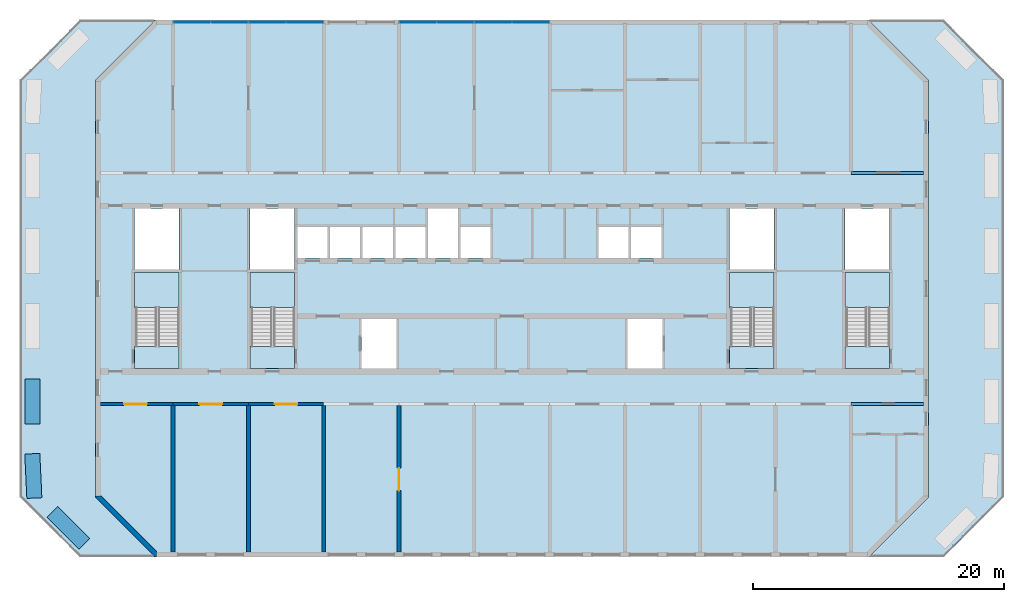
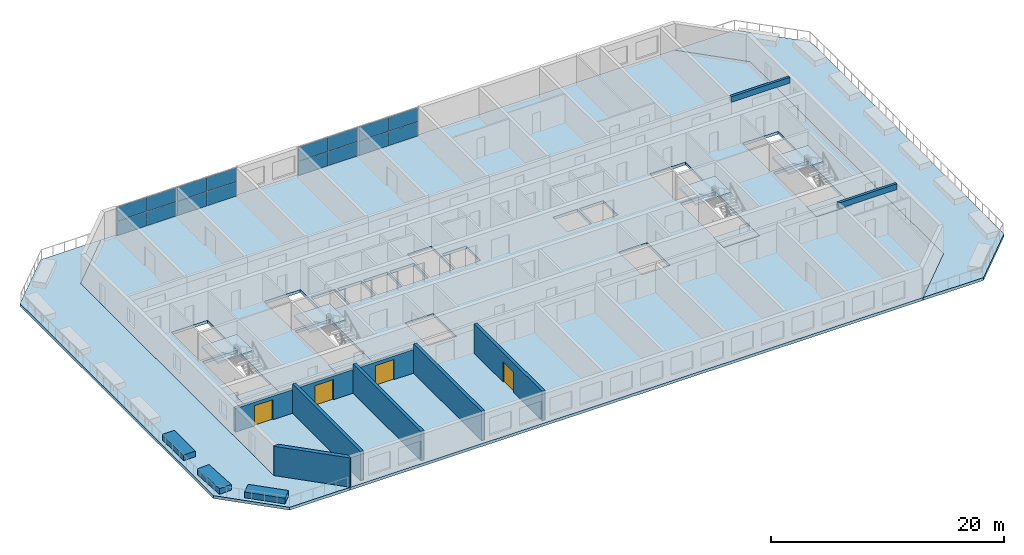
# One storey, part 3 of 14: 16 plates, 11 slabs, 11 walls, 4 doors, 2 beams, 4 openings, 8 elements without a shape of their own.
"""IFC4 building model written with IfcOpenShell, lengths in metres."""

from ifc_helpers import new_model, si_unit, direction, frame, frame_2d, origin, origin_2d, place, context, subcontext, project, spatial, polyline, rectangle, outline, extrude, source, transform, mapped, material, layer, layer_set, material_profile, profile_set, type_object, element, fill, aggregate, save


model = new_model("IFC4")

# Units and contexts
model_context = context("Model", 3, precision=1e-05, world=origin(), true_north=direction((0.0, 1.0)))
body_context = subcontext(model_context, "Body", "Model", "MODEL_VIEW")
ifc_project = project(units=[si_unit("LENGTHUNIT", "METRE"), si_unit("AREAUNIT", "SQUARE_METRE"), si_unit("VOLUMEUNIT", "CUBIC_METRE"), si_unit("PLANEANGLEUNIT", "RADIAN"), si_unit("MASSUNIT", "GRAM", prefix="KILO")], contexts=[model_context])

# Site, building, storey
site_placement = place(None, origin())
site = spatial("IfcSite", under=ifc_project, at=site_placement, CompositionType="ELEMENT")
building_placement = place(site_placement, origin())
building = spatial("IfcBuilding", under=site, at=building_placement, Name="Poui Terraces", CompositionType="ELEMENT")
storey_placement = place(building_placement, frame((0.0, 0.0, 158.699951171875)))
storey = spatial("IfcBuildingStorey", under=building, at=storey_placement, Name="L44", CompositionType="ELEMENT", Elevation=158.699951171875)

# Beams
ifc_material_1 = material(Name="Concrete 65 MPa", Category="concrete")
ifc_material_profile = material_profile(ifc_material_1, rectangle(XDim=0.25, YDim=0.60009765625, at=origin_2d()), Name="RC 250x600")
ifc_profile_set = profile_set([ifc_material_profile], Name="Concrete 65 MPa")
beam_type = type_object("IfcBeamType", Name="COUPLING BEAM 250x600 65MPa", PredefinedType="BEAM", material=ifc_profile_set)
shared_shape_1 = source(origin(), body_context, "Body", "SweptSolid", [
    extrude(rectangle(XDim=0.25, YDim=0.60009765625, at=origin_2d()), origin(), (0.0, 0.0, 1.0), 5.800048828125),
])
for number, where, z_axis, x_axis, name in (
    (1, (78.0, 12.0, 2.77001953125), (1.0, 0.0, 0.0), (0.0, 1.0, 0.0), "COUPLING BEAM LINE B BAY 11"),
    (2, (78.0, 30.39990234375, 2.77001953125), (1.0, 0.0, 0.0), (0.0, 1.0, 0.0), "COUPLING BEAM LINE E BAY 11"),
):
    element("IfcBeam", number, at=place(storey_placement, frame(where, z_axis=z_axis, x_axis=x_axis)), inside=storey, type_object=beam_type, Name=name, PredefinedType="BEAM", context=body_context, shape_type="MappedRepresentation", body=[
        mapped(shared_shape_1, transform((0.0, 0.0, 0.0))),
    ])

# Curtain wall, plates
ifc_material_2 = material(Name="Clear glass", Category="glass")
ifc_layer_1 = layer(ifc_material_2, 0.14990234375)
ifc_layer_set_1 = layer_set([ifc_layer_1], Name="Clear glass")
curtain_wall_type = type_object("IfcCurtainWallType", Name="CURTAIN WALL CW-C COMMUNITY HALL GLAZING", PredefinedType="NOTDEFINED", material=ifc_layer_set_1)
curtain_wall_1_placement = place(storey_placement, origin())
curtain_wall_1 = element("IfcCurtainWall", 3, at=curtain_wall_1_placement, inside=storey, type_object=curtain_wall_type, Name="CW-C COMMUNITY HALL GLAZING", PredefinedType="NOTDEFINED")
ifc_layer_2 = layer(ifc_material_2, 0.052001953125)
ifc_layer_set_2 = layer_set([ifc_layer_2], Name="Clear glass")
plate_type = type_object("IfcPlateType", Name="CW-C GLASS PANEL 52", PredefinedType="CURTAIN_PANEL", material=ifc_layer_set_2)
plate_1_placement = place(storey_placement, frame((28.487548828125, 42.39990234375, 0.050048828125), z_axis=(0.0, 0.0, 1.0), x_axis=(-1.0, 0.0, 0.0)))
plate_1 = element("IfcPlate", 4, at=plate_1_placement, type_object=plate_type, Name="CW-C panel 1.1", PredefinedType="CURTAIN_PANEL", context=body_context, shape_type="SweptSolid", body=[
    extrude(rectangle(XDim=2.925048828125, YDim=0.052001953125, at=origin_2d()), origin(), (0.0, 0.0, 1.0), 1.4599609375),
])
plate_2_placement = place(storey_placement, frame((28.487548828125, 42.39990234375, 1.56005859375), z_axis=(0.0, 0.0, 1.0), x_axis=(-1.0, 0.0, 0.0)))
plate_2 = element("IfcPlate", 5, at=plate_2_placement, type_object=plate_type, Name="CW-C panel 1.2", PredefinedType="CURTAIN_PANEL", context=body_context, shape_type="SweptSolid", body=[
    extrude(rectangle(XDim=2.925048828125, YDim=0.052001953125, at=origin_2d()), origin(), (0.0, 0.0, 1.0), 1.4599609375),
])
plate_3_placement = place(storey_placement, frame((25.512451171875, 42.39990234375, 0.050048828125), z_axis=(0.0, 0.0, 1.0), x_axis=(-1.0, 0.0, 0.0)))
plate_3 = element("IfcPlate", 6, at=plate_3_placement, type_object=plate_type, Name="CW-C panel 2.1", PredefinedType="CURTAIN_PANEL", context=body_context, shape_type="SweptSolid", body=[
    extrude(rectangle(XDim=2.925048828125, YDim=0.052001953125, at=origin_2d()), origin(), (0.0, 0.0, 1.0), 1.4599609375),
])
plate_4_placement = place(storey_placement, frame((25.512451171875, 42.39990234375, 1.56005859375), z_axis=(0.0, 0.0, 1.0), x_axis=(-1.0, 0.0, 0.0)))
plate_4 = element("IfcPlate", 7, at=plate_4_placement, type_object=plate_type, Name="CW-C panel 2.2", PredefinedType="CURTAIN_PANEL", context=body_context, shape_type="SweptSolid", body=[
    extrude(rectangle(XDim=2.925048828125, YDim=0.052001953125, at=origin_2d()), origin(), (0.0, 0.0, 1.0), 1.4599609375),
])
aggregate(curtain_wall_1, [plate_1, plate_2, plate_3, plate_4])

curtain_wall_2_placement = place(storey_placement, origin())
curtain_wall_2 = element("IfcCurtainWall", 8, at=curtain_wall_2_placement, inside=storey, type_object=curtain_wall_type, Name="CW-C COMMUNITY HALL GLAZING", PredefinedType="NOTDEFINED")
plate_5_placement = place(storey_placement, frame((34.487548828125, 42.39990234375, 0.050048828125), z_axis=(0.0, 0.0, 1.0), x_axis=(-1.0, 0.0, 0.0)))
plate_5 = element("IfcPlate", 9, at=plate_5_placement, type_object=plate_type, Name="CW-C panel 1.1", PredefinedType="CURTAIN_PANEL", context=body_context, shape_type="SweptSolid", body=[
    extrude(rectangle(XDim=2.925048828125, YDim=0.052001953125, at=origin_2d()), origin(), (0.0, 0.0, 1.0), 1.4599609375),
])
plate_6_placement = place(storey_placement, frame((34.487548828125, 42.39990234375, 1.56005859375), z_axis=(0.0, 0.0, 1.0), x_axis=(-1.0, 0.0, 0.0)))
plate_6 = element("IfcPlate", 10, at=plate_6_placement, type_object=plate_type, Name="CW-C panel 1.2", PredefinedType="CURTAIN_PANEL", context=body_context, shape_type="SweptSolid", body=[
    extrude(rectangle(XDim=2.925048828125, YDim=0.052001953125, at=origin_2d()), origin(), (0.0, 0.0, 1.0), 1.4599609375),
])
plate_7_placement = place(storey_placement, frame((31.512451171875, 42.39990234375, 0.050048828125), z_axis=(0.0, 0.0, 1.0), x_axis=(-1.0, 0.0, 0.0)))
plate_7 = element("IfcPlate", 11, at=plate_7_placement, type_object=plate_type, Name="CW-C panel 2.1", PredefinedType="CURTAIN_PANEL", context=body_context, shape_type="SweptSolid", body=[
    extrude(rectangle(XDim=2.925048828125, YDim=0.052001953125, at=origin_2d()), origin(), (0.0, 0.0, 1.0), 1.4599609375),
])
plate_8_placement = place(storey_placement, frame((31.512451171875, 42.39990234375, 1.56005859375), z_axis=(0.0, 0.0, 1.0), x_axis=(-1.0, 0.0, 0.0)))
plate_8 = element("IfcPlate", 12, at=plate_8_placement, type_object=plate_type, Name="CW-C panel 2.2", PredefinedType="CURTAIN_PANEL", context=body_context, shape_type="SweptSolid", body=[
    extrude(rectangle(XDim=2.925048828125, YDim=0.052001953125, at=origin_2d()), origin(), (0.0, 0.0, 1.0), 1.4599609375),
])
aggregate(curtain_wall_2, [plate_5, plate_6, plate_7, plate_8])

curtain_wall_3_placement = place(storey_placement, origin())
curtain_wall_3 = element("IfcCurtainWall", 13, at=curtain_wall_3_placement, inside=storey, type_object=curtain_wall_type, Name="CW-C COMMUNITY HALL GLAZING", PredefinedType="NOTDEFINED")
plate_9_placement = place(storey_placement, frame((46.487548828125, 42.39990234375, 0.050048828125), z_axis=(0.0, 0.0, 1.0), x_axis=(-1.0, 0.0, 0.0)))
plate_9 = element("IfcPlate", 14, at=plate_9_placement, type_object=plate_type, Name="CW-C panel 1.1", PredefinedType="CURTAIN_PANEL", context=body_context, shape_type="SweptSolid", body=[
    extrude(rectangle(XDim=2.925048828125, YDim=0.052001953125, at=origin_2d()), origin(), (0.0, 0.0, 1.0), 1.4599609375),
])
plate_10_placement = place(storey_placement, frame((46.487548828125, 42.39990234375, 1.56005859375), z_axis=(0.0, 0.0, 1.0), x_axis=(-1.0, 0.0, 0.0)))
plate_10 = element("IfcPlate", 15, at=plate_10_placement, type_object=plate_type, Name="CW-C panel 1.2", PredefinedType="CURTAIN_PANEL", context=body_context, shape_type="SweptSolid", body=[
    extrude(rectangle(XDim=2.925048828125, YDim=0.052001953125, at=origin_2d()), origin(), (0.0, 0.0, 1.0), 1.4599609375),
])
plate_11_placement = place(storey_placement, frame((43.512451171875, 42.39990234375, 0.050048828125), z_axis=(0.0, 0.0, 1.0), x_axis=(-1.0, 0.0, 0.0)))
plate_11 = element("IfcPlate", 16, at=plate_11_placement, type_object=plate_type, Name="CW-C panel 2.1", PredefinedType="CURTAIN_PANEL", context=body_context, shape_type="SweptSolid", body=[
    extrude(rectangle(XDim=2.925048828125, YDim=0.052001953125, at=origin_2d()), origin(), (0.0, 0.0, 1.0), 1.4599609375),
])
plate_12_placement = place(storey_placement, frame((43.512451171875, 42.39990234375, 1.56005859375), z_axis=(0.0, 0.0, 1.0), x_axis=(-1.0, 0.0, 0.0)))
plate_12 = element("IfcPlate", 17, at=plate_12_placement, type_object=plate_type, Name="CW-C panel 2.2", PredefinedType="CURTAIN_PANEL", context=body_context, shape_type="SweptSolid", body=[
    extrude(rectangle(XDim=2.925048828125, YDim=0.052001953125, at=origin_2d()), origin(), (0.0, 0.0, 1.0), 1.4599609375),
])
aggregate(curtain_wall_3, [plate_9, plate_10, plate_11, plate_12])

curtain_wall_4_placement = place(storey_placement, origin())
curtain_wall_4 = element("IfcCurtainWall", 18, at=curtain_wall_4_placement, inside=storey, type_object=curtain_wall_type, Name="CW-C COMMUNITY HALL GLAZING", PredefinedType="NOTDEFINED")
plate_13_placement = place(storey_placement, frame((52.487548828125, 42.39990234375, 0.050048828125), z_axis=(0.0, 0.0, 1.0), x_axis=(-1.0, 0.0, 0.0)))
plate_13 = element("IfcPlate", 19, at=plate_13_placement, type_object=plate_type, Name="CW-C panel 1.1", PredefinedType="CURTAIN_PANEL", context=body_context, shape_type="SweptSolid", body=[
    extrude(rectangle(XDim=2.925048828125, YDim=0.052001953125, at=origin_2d()), origin(), (0.0, 0.0, 1.0), 1.4599609375),
])
plate_14_placement = place(storey_placement, frame((52.487548828125, 42.39990234375, 1.56005859375), z_axis=(0.0, 0.0, 1.0), x_axis=(-1.0, 0.0, 0.0)))
plate_14 = element("IfcPlate", 20, at=plate_14_placement, type_object=plate_type, Name="CW-C panel 1.2", PredefinedType="CURTAIN_PANEL", context=body_context, shape_type="SweptSolid", body=[
    extrude(rectangle(XDim=2.925048828125, YDim=0.052001953125, at=origin_2d()), origin(), (0.0, 0.0, 1.0), 1.4599609375),
])
plate_15_placement = place(storey_placement, frame((49.512451171875, 42.39990234375, 0.050048828125), z_axis=(0.0, 0.0, 1.0), x_axis=(-1.0, 0.0, 0.0)))
plate_15 = element("IfcPlate", 21, at=plate_15_placement, type_object=plate_type, Name="CW-C panel 2.1", PredefinedType="CURTAIN_PANEL", context=body_context, shape_type="SweptSolid", body=[
    extrude(rectangle(XDim=2.925048828125, YDim=0.052001953125, at=origin_2d()), origin(), (0.0, 0.0, 1.0), 1.4599609375),
])
plate_16_placement = place(storey_placement, frame((49.512451171875, 42.39990234375, 1.56005859375), z_axis=(0.0, 0.0, 1.0), x_axis=(-1.0, 0.0, 0.0)))
plate_16 = element("IfcPlate", 22, at=plate_16_placement, type_object=plate_type, Name="CW-C panel 2.2", PredefinedType="CURTAIN_PANEL", context=body_context, shape_type="SweptSolid", body=[
    extrude(rectangle(XDim=2.925048828125, YDim=0.052001953125, at=origin_2d()), origin(), (0.0, 0.0, 1.0), 1.4599609375),
])
aggregate(curtain_wall_4, [plate_13, plate_14, plate_15, plate_16])

# Stair, slabs
stair_type = type_object("IfcStairType", Name="EXIT STAIR 1650 65 MPA", PredefinedType="HALF_TURN_STAIR", material=ifc_material_1)
stair_1_placement = place(storey_placement, origin())
stair_1 = element("IfcStair", 23, at=stair_1_placement, inside=storey, type_object=stair_type, Name="L44 CORE STAIR EAST", PredefinedType="HALF_TURN_STAIR")
ifc_layer_3 = layer(ifc_material_1, 0.199951171875)
ifc_layer_set_3 = layer_set([ifc_layer_3], Name="Concrete 65 MPa")
slab_type_1 = type_object("IfcSlabType", Name="STAIR LANDING 200 65 MPA", PredefinedType="LANDING", material=ifc_layer_set_3)
slab_1_placement = place(storey_placement, frame((0.0, 0.0, 1.449951171875)))
slab_1 = element("IfcSlab", 24, at=slab_1_placement, type_object=slab_type_1, Name="ST-CE landing 1", PredefinedType="LANDING", context=body_context, shape_type="SweptSolid", body=[
    extrude(outline(polyline([(68.324951171875, 19.679931640625), (71.875, 19.679931640625), (71.875, 22.47509765625), (68.324951171875, 22.47509765625), (68.324951171875, 19.679931640625)])), origin(), (0.0, 0.0, 1.0), 0.2001953125),
])
slab_2_placement = place(storey_placement, frame((0.0, 0.0, -0.199951171875)))
slab_2 = element("IfcSlab", 25, at=slab_2_placement, type_object=slab_type_1, Name="ST-CE landing 2", PredefinedType="LANDING", context=body_context, shape_type="SweptSolid", body=[
    extrude(outline(polyline([(68.324951171875, 14.824951171875), (71.875, 14.824951171875), (71.875, 16.60009765625), (68.324951171875, 16.60009765625), (68.324951171875, 14.824951171875)])), origin(), (0.0, 0.0, 1.0), 0.199951171875),
])
aggregate(stair_1, [slab_1, slab_2])

stair_2_placement = place(storey_placement, origin())
stair_2 = element("IfcStair", 26, at=stair_2_placement, inside=storey, type_object=stair_type, Name="L44 CORE STAIR WEST", PredefinedType="HALF_TURN_STAIR")
slab_3_placement = place(storey_placement, frame((0.0, 0.0, 1.449951171875)))
slab_3 = element("IfcSlab", 27, at=slab_3_placement, type_object=slab_type_1, Name="ST-CW landing 1", PredefinedType="LANDING", context=body_context, shape_type="SweptSolid", body=[
    extrude(outline(polyline([(30.125, 19.679931640625), (33.675048828125, 19.679931640625), (33.675048828125, 22.47509765625), (30.125, 22.47509765625), (30.125, 19.679931640625)])), origin(), (0.0, 0.0, 1.0), 0.2001953125),
])
slab_4_placement = place(storey_placement, frame((0.0, 0.0, -0.199951171875)))
slab_4 = element("IfcSlab", 28, at=slab_4_placement, type_object=slab_type_1, Name="ST-CW landing 2", PredefinedType="LANDING", context=body_context, shape_type="SweptSolid", body=[
    extrude(outline(polyline([(30.125, 14.824951171875), (33.675048828125, 14.824951171875), (33.675048828125, 16.60009765625), (30.125, 16.60009765625), (30.125, 14.824951171875)])), origin(), (0.0, 0.0, 1.0), 0.199951171875),
])
aggregate(stair_2, [slab_3, slab_4])

stair_3_placement = place(storey_placement, origin())
stair_3 = element("IfcStair", 29, at=stair_3_placement, inside=storey, type_object=stair_type, Name="L44 TIP STAIR EAST", PredefinedType="HALF_TURN_STAIR")
slab_5_placement = place(storey_placement, frame((0.0, 0.0, 1.449951171875)))
slab_5 = element("IfcSlab", 30, at=slab_5_placement, type_object=slab_type_1, Name="ST-E landing 1", PredefinedType="LANDING", context=body_context, shape_type="SweptSolid", body=[
    extrude(outline(polyline([(77.52490234375, 19.679931640625), (81.074951171875, 19.679931640625), (81.074951171875, 22.47509765625), (77.52490234375, 22.47509765625), (77.52490234375, 19.679931640625)])), origin(), (0.0, 0.0, 1.0), 0.2001953125),
])
slab_6_placement = place(storey_placement, frame((0.0, 0.0, -0.199951171875)))
slab_6 = element("IfcSlab", 31, at=slab_6_placement, type_object=slab_type_1, Name="ST-E landing 2", PredefinedType="LANDING", context=body_context, shape_type="SweptSolid", body=[
    extrude(outline(polyline([(77.52490234375, 14.824951171875), (81.074951171875, 14.824951171875), (81.074951171875, 16.60009765625), (77.52490234375, 16.60009765625), (77.52490234375, 14.824951171875)])), origin(), (0.0, 0.0, 1.0), 0.199951171875),
])
aggregate(stair_3, [slab_5, slab_6])

stair_4_placement = place(storey_placement, origin())
stair_4 = element("IfcStair", 32, at=stair_4_placement, inside=storey, type_object=stair_type, Name="L44 TIP STAIR WEST", PredefinedType="HALF_TURN_STAIR")
slab_7_placement = place(storey_placement, frame((0.0, 0.0, 1.449951171875)))
slab_7 = element("IfcSlab", 33, at=slab_7_placement, type_object=slab_type_1, Name="ST-W landing 1", PredefinedType="LANDING", context=body_context, shape_type="SweptSolid", body=[
    extrude(outline(polyline([(20.925048828125, 19.679931640625), (24.47509765625, 19.679931640625), (24.47509765625, 22.47509765625), (20.925048828125, 22.47509765625), (20.925048828125, 19.679931640625)])), origin(), (0.0, 0.0, 1.0), 0.2001953125),
])
slab_8_placement = place(storey_placement, frame((0.0, 0.0, -0.199951171875)))
slab_8 = element("IfcSlab", 34, at=slab_8_placement, type_object=slab_type_1, Name="ST-W landing 2", PredefinedType="LANDING", context=body_context, shape_type="SweptSolid", body=[
    extrude(outline(polyline([(20.925048828125, 14.824951171875), (24.47509765625, 14.824951171875), (24.47509765625, 16.60009765625), (20.925048828125, 16.60009765625), (20.925048828125, 14.824951171875)])), origin(), (0.0, 0.0, 1.0), 0.199951171875),
])
aggregate(stair_4, [slab_7, slab_8])

# Slabs
ifc_material_3 = material(Name="Concrete 40 MPa", Category="concrete")
ifc_layer_4 = layer(ifc_material_3, 0.300048828125)
ifc_layer_set_4 = layer_set([ifc_layer_4], Name="Concrete 40 MPa")
slab_type_2 = type_object("IfcSlabType", Name="FLOOR SLAB 300", PredefinedType="FLOOR", material=ifc_layer_set_4)
shared_shape_2 = source(origin(), body_context, "Body", "SweptSolid", [
    extrude(outline(polyline([(0.0, 0.0), (4.800048828125, -4.800048828125), (61.599853515625, -4.800048828125), (66.39990234375, 0.0), (66.39990234375, 33.199951171875), (61.599853515625, 38.0), (4.800048828125, 38.0), (0.0, 33.199951171875), (0.0, 0.0)]), holes=[polyline([(21.199951171875, 10.224853515625), (21.199951171875, 14.1748046875), (24.0, 14.1748046875), (24.0, 10.224853515625), (21.199951171875, 10.224853515625)]), polyline([(3.224853515625, 17.849853515625), (6.675048828125, 17.849853515625), (6.675048828125, 12.0), (6.675048828125, 10.224853515625), (3.125, 10.224853515625), (3.125, 12.0), (3.224853515625, 12.0), (3.224853515625, 17.849853515625)]), polyline([(12.425048828125, 17.849853515625), (15.875, 17.849853515625), (15.875, 12.0), (15.875, 10.224853515625), (12.324951171875, 10.224853515625), (12.324951171875, 12.0), (12.425048828125, 12.0), (12.425048828125, 17.849853515625)]), polyline([(16.099853515625, 19.02490234375), (16.099853515625, 21.5), (18.5, 21.5), (18.5, 19.02490234375), (16.099853515625, 19.02490234375)]), polyline([(18.699951171875, 19.02490234375), (18.699951171875, 21.5), (21.099853515625, 21.5), (21.099853515625, 19.02490234375), (18.699951171875, 19.02490234375)]), polyline([(21.300048828125, 19.02490234375), (21.300048828125, 21.5), (23.699951171875, 21.5), (23.699951171875, 19.02490234375), (21.300048828125, 19.02490234375)]), polyline([(23.89990234375, 19.02490234375), (23.89990234375, 21.5), (26.300048828125, 21.5), (26.300048828125, 19.02490234375), (23.89990234375, 19.02490234375)]), polyline([(3.125, 22.974853515625), (6.675048828125, 22.974853515625), (6.675048828125, 18.125), (3.125, 18.125), (3.125, 22.974853515625)]), polyline([(12.324951171875, 22.974853515625), (15.875, 22.974853515625), (15.875, 18.125), (12.324951171875, 18.125), (12.324951171875, 22.974853515625)]), polyline([(42.39990234375, 10.224853515625), (42.39990234375, 14.1748046875), (45.199951171875, 14.1748046875), (45.199951171875, 10.224853515625), (42.39990234375, 10.224853515625)]), polyline([(50.625, 17.849853515625), (54.074951171875, 17.849853515625), (54.074951171875, 12.0), (54.074951171875, 10.224853515625), (50.52490234375, 10.224853515625), (50.52490234375, 12.0), (50.625, 12.0), (50.625, 17.849853515625)]), polyline([(59.824951171875, 17.849853515625), (63.27490234375, 17.849853515625), (63.27490234375, 12.0), (63.27490234375, 10.224853515625), (59.724853515625, 10.224853515625), (59.724853515625, 12.0), (59.824951171875, 12.0), (59.824951171875, 17.849853515625)]), polyline([(29.099853515625, 19.02490234375), (29.099853515625, 21.5), (31.5, 21.5), (31.5, 19.02490234375), (29.099853515625, 19.02490234375)]), polyline([(40.099853515625, 19.02490234375), (40.099853515625, 21.5), (42.5, 21.5), (42.5, 19.02490234375), (40.099853515625, 19.02490234375)]), polyline([(42.699951171875, 19.02490234375), (42.699951171875, 21.5), (45.099853515625, 21.5), (45.099853515625, 19.02490234375), (42.699951171875, 19.02490234375)]), polyline([(50.52490234375, 18.125), (50.52490234375, 22.974853515625), (54.074951171875, 22.974853515625), (54.074951171875, 18.125), (50.52490234375, 18.125)]), polyline([(59.724853515625, 22.974853515625), (63.27490234375, 22.974853515625), (63.27490234375, 18.125), (59.724853515625, 18.125), (59.724853515625, 22.974853515625)]), polyline([(26.5, 22.974853515625), (28.89990234375, 22.974853515625), (28.89990234375, 19.02490234375), (26.5, 19.02490234375), (26.5, 22.974853515625)])]), origin(), (0.0, 0.0, 1.0), 0.300048828125),
])
slab_9_placement = place(storey_placement, frame((17.800048828125, 4.60009765625, -0.300048828125)))
element("IfcSlab", 35, at=slab_9_placement, inside=storey, type_object=slab_type_2, Name="FLOOR SLAB", PredefinedType="FLOOR", context=body_context, shape_type="MappedRepresentation", body=[
    mapped(shared_shape_2, transform((0.0, 0.0, 0.0))),
])
ifc_layer_5 = layer(ifc_material_3, 0.300048828125)
ifc_layer_set_5 = layer_set([ifc_layer_5], Name="Concrete 40 MPa")
slab_type_3 = type_object("IfcSlabType", Name="TIP TERRACE SLAB 300", PredefinedType="FLOOR", material=ifc_layer_set_5)
shared_shape_3 = source(origin(), body_context, "Body", "SweptSolid", [
    extrude(outline(polyline([(0.0, 0.0), (-6.0, 0.0), (-1.199951171875, -4.800048828125), (-1.199951171875, -38.0), (-6.0, -42.800048828125), (0.0, -42.800048828125), (4.800048828125, -38.0), (4.800048828125, -4.800048828125), (0.0, 0.0)])), origin(), (0.0, 0.0, 1.0), 0.300048828125),
])
slab_10_placement = place(storey_placement, frame((85.39990234375, 42.60009765625, -0.300048828125)))
element("IfcSlab", 36, at=slab_10_placement, inside=storey, type_object=slab_type_3, Name="TIP TERRACE SLAB", PredefinedType="FLOOR", context=body_context, shape_type="MappedRepresentation", body=[
    mapped(shared_shape_3, transform((0.0, 0.0, 0.0))),
])
shared_shape_4 = source(origin(), body_context, "Body", "SweptSolid", [
    extrude(outline(polyline([(0.0, 0.0), (6.0, 0.0), (1.199951171875, 4.800048828125), (1.199951171875, 38.0), (6.0, 42.800048828125), (0.0, 42.800048828125), (-4.800048828125, 38.0), (-4.800048828125, 4.800048828125), (0.0, 0.0)])), origin(), (0.0, 0.0, 1.0), 0.300048828125),
])
slab_11_placement = place(storey_placement, frame((16.60009765625, -0.199951171875, -0.300048828125)))
element("IfcSlab", 37, at=slab_11_placement, inside=storey, type_object=slab_type_3, Name="TIP TERRACE SLAB", PredefinedType="FLOOR", context=body_context, shape_type="MappedRepresentation", body=[
    mapped(shared_shape_4, transform((0.0, 0.0, 0.0))),
])

# Wall, opening, door
ifc_layer_6 = layer(ifc_material_1, 0.25)
ifc_layer_set_6 = layer_set([ifc_layer_6], Name="Concrete 65 MPa")
wall_type_1 = type_object("IfcWallType", Name="CORRIDOR WALL 250 65MPa", PredefinedType="SHEAR", material=ifc_layer_set_6)
wall_1_placement = place(storey_placement, frame((18.199951171875, 12.0, 0.0), z_axis=(0.0, 0.0, 1.0), x_axis=(1.0, 0.0, 0.0)))
wall_1 = element("IfcWall", 38, at=wall_1_placement, inside=storey, type_object=wall_type_1, Name="CORRIDOR WALL LINE B BAY 1", PredefinedType="SHEAR", context=body_context, shape_type="SweptSolid", body=[
    extrude(rectangle(XDim=5.800048828125, YDim=0.25, at=frame_2d((2.89990234375, 0.0))), origin(), (0.0, 0.0, 1.0), 2.469970703125),
])
opening_1_placement = place(wall_1_placement, frame((1.89990234375, 0.0, 0.0)))
opening_1 = element("IfcOpeningElement", 39, at=opening_1_placement, cuts=wall_1, Name="Opening DD180", PredefinedType="OPENING", context=body_context, shape_type="SweptSolid", body=[
    extrude(rectangle(XDim=1.800048828125, YDim=2.10009765625, at=frame_2d((0.89990234375, 1.050048828125))), frame((0.0, 0.135009765625, 0.0), z_axis=(0.0, -1.0, 0.0), x_axis=(1.0, 0.0, 0.0)), (0.0, 0.0, 1.0), 0.27001953125),
])
ifc_material_4 = material(Name="Steel fire door", Category="steel")
door_type = type_object("IfcDoorType", Name="DOUBLE INTERNAL DOOR 1800 X 2100", OperationType="DOUBLE_DOOR_SINGLE_SWING", PredefinedType="DOOR", material=ifc_material_4)
door_1_placement = place(opening_1_placement, origin())
door_1 = element("IfcDoor", 40, at=door_1_placement, inside=storey, type_object=door_type, Name="DOUBLE INTERNAL DOOR 030", OperationType="DOUBLE_DOOR_SINGLE_SWING", OverallHeight=2.10009765625, OverallWidth=1.800048828125, PredefinedType="DOOR", context=body_context, shape_type="SweptSolid", body=[
    extrude(rectangle(XDim=1.800048828125, YDim=2.10009765625, at=frame_2d((0.89990234375, 1.050048828125))), frame((0.0, 0.02490234375, 0.0), z_axis=(0.0, -1.0, 0.0), x_axis=(1.0, 0.0, 0.0)), (0.0, 0.0, 1.0), 0.050048828125),
])
fill(opening_1, door_1)

wall_2_placement = place(storey_placement, frame((24.0, 12.0, 0.0), z_axis=(0.0, 0.0, 1.0), x_axis=(1.0, 0.0, 0.0)))
wall_2 = element("IfcWall", 41, at=wall_2_placement, inside=storey, type_object=wall_type_1, Name="CORRIDOR WALL LINE B BAY 2", PredefinedType="SHEAR", context=body_context, shape_type="SweptSolid", body=[
    extrude(rectangle(XDim=6.0, YDim=0.25, at=frame_2d((3.0, 0.0))), origin(), (0.0, 0.0, 1.0), 2.469970703125),
])
opening_2_placement = place(wall_2_placement, frame((2.10009765625, 0.0, 0.0)))
opening_2 = element("IfcOpeningElement", 42, at=opening_2_placement, cuts=wall_2, Name="Opening DD180", PredefinedType="OPENING", context=body_context, shape_type="SweptSolid", body=[
    extrude(rectangle(XDim=1.800048828125, YDim=2.10009765625, at=frame_2d((0.89990234375, 1.050048828125))), frame((0.0, 0.135009765625, 0.0), z_axis=(0.0, -1.0, 0.0), x_axis=(1.0, 0.0, 0.0)), (0.0, 0.0, 1.0), 0.27001953125),
])
door_2_placement = place(opening_2_placement, origin())
door_2 = element("IfcDoor", 43, at=door_2_placement, inside=storey, type_object=door_type, Name="DOUBLE INTERNAL DOOR 031", OperationType="DOUBLE_DOOR_SINGLE_SWING", OverallHeight=2.10009765625, OverallWidth=1.800048828125, PredefinedType="DOOR", context=body_context, shape_type="SweptSolid", body=[
    extrude(rectangle(XDim=1.800048828125, YDim=2.10009765625, at=frame_2d((0.89990234375, 1.050048828125))), frame((0.0, 0.02490234375, 0.0), z_axis=(0.0, -1.0, 0.0), x_axis=(1.0, 0.0, 0.0)), (0.0, 0.0, 1.0), 0.050048828125),
])
fill(opening_2, door_2)

wall_3_placement = place(storey_placement, frame((30.0, 12.0, 0.0), z_axis=(0.0, 0.0, 1.0), x_axis=(1.0, 0.0, 0.0)))
wall_3 = element("IfcWall", 44, at=wall_3_placement, inside=storey, type_object=wall_type_1, Name="CORRIDOR WALL LINE B BAY 3", PredefinedType="SHEAR", context=body_context, shape_type="SweptSolid", body=[
    extrude(rectangle(XDim=6.0, YDim=0.25, at=frame_2d((3.0, 0.0))), origin(), (0.0, 0.0, 1.0), 2.469970703125),
])
opening_3_placement = place(wall_3_placement, frame((2.10009765625, 0.0, 0.0)))
opening_3 = element("IfcOpeningElement", 45, at=opening_3_placement, cuts=wall_3, Name="Opening DD180", PredefinedType="OPENING", context=body_context, shape_type="SweptSolid", body=[
    extrude(rectangle(XDim=1.800048828125, YDim=2.10009765625, at=frame_2d((0.89990234375, 1.050048828125))), frame((0.0, 0.135009765625, 0.0), z_axis=(0.0, -1.0, 0.0), x_axis=(1.0, 0.0, 0.0)), (0.0, 0.0, 1.0), 0.27001953125),
])
door_3_placement = place(opening_3_placement, origin())
door_3 = element("IfcDoor", 46, at=door_3_placement, inside=storey, type_object=door_type, Name="DOUBLE INTERNAL DOOR 034", OperationType="DOUBLE_DOOR_SINGLE_SWING", OverallHeight=2.10009765625, OverallWidth=1.800048828125, PredefinedType="DOOR", context=body_context, shape_type="SweptSolid", body=[
    extrude(rectangle(XDim=1.800048828125, YDim=2.10009765625, at=frame_2d((0.89990234375, 1.050048828125))), frame((0.0, 0.02490234375, 0.0), z_axis=(0.0, -1.0, 0.0), x_axis=(1.0, 0.0, 0.0)), (0.0, 0.0, 1.0), 0.050048828125),
])
fill(opening_3, door_3)

# Walls
ifc_layer_7 = layer(ifc_material_1, 0.300048828125)
ifc_layer_set_7 = layer_set([ifc_layer_7], Name="Concrete 65 MPa")
wall_type_2 = type_object("IfcWallType", Name="CROSS WALL 300 65MPa", PredefinedType="SHEAR", material=ifc_layer_set_7)
for number, where, z_axis, x_axis, name in (
    (47, (24.0, 0.199951171875, 0.0), (0.0, 0.0, 1.0), (0.0, 1.0, 0.0), "CROSS WALL LINE 5 SOUTH"),
    (48, (30.0, 0.199951171875, 0.0), (0.0, 0.0, 1.0), (0.0, 1.0, 0.0), "CROSS WALL LINE 6 SOUTH"),
    (49, (36.0, 0.199951171875, 0.0), (0.0, 0.0, 1.0), (0.0, 1.0, 0.0), "CROSS WALL LINE 7 SOUTH"),
):
    element("IfcWall", number, at=place(storey_placement, frame(where, z_axis=z_axis, x_axis=x_axis)), inside=storey, type_object=wall_type_2, Name=name, PredefinedType="SHEAR", context=body_context, shape_type="SweptSolid", body=[
        extrude(rectangle(XDim=11.675048828125, YDim=0.300048828125, at=frame_2d((5.83740234375, 0.0))), origin(), (0.0, 0.0, 1.0), 3.070068359375),
    ])

# Wall, opening, door
wall_4_placement = place(storey_placement, frame((42.0, 0.199951171875, 0.0), z_axis=(0.0, 0.0, 1.0), x_axis=(0.0, 1.0, 0.0)))
wall_4 = element("IfcWall", 50, at=wall_4_placement, inside=storey, type_object=wall_type_2, Name="CROSS WALL LINE 8 SOUTH", PredefinedType="SHEAR", context=body_context, shape_type="SweptSolid", body=[
    extrude(rectangle(XDim=11.675048828125, YDim=0.300048828125, at=frame_2d((5.83740234375, 0.0))), origin(), (0.0, 0.0, 1.0), 3.070068359375),
])
opening_4_placement = place(wall_4_placement, frame((4.89990234375, 0.0, 0.0)))
opening_4 = element("IfcOpeningElement", 51, at=opening_4_placement, cuts=wall_4, Name="Opening DD180", PredefinedType="OPENING", context=body_context, shape_type="SweptSolid", body=[
    extrude(rectangle(XDim=1.800048828125, YDim=2.10009765625, at=frame_2d((0.89990234375, 1.050048828125))), frame((0.0, 0.16015625, 0.0), z_axis=(0.0, -1.0, 0.0), x_axis=(1.0, 0.0, 0.0)), (0.0, 0.0, 1.0), 0.320068359375),
])
door_4_placement = place(opening_4_placement, origin())
door_4 = element("IfcDoor", 52, at=door_4_placement, inside=storey, type_object=door_type, Name="DOUBLE INTERNAL DOOR 059", OperationType="DOUBLE_DOOR_SINGLE_SWING", OverallHeight=2.10009765625, OverallWidth=1.800048828125, PredefinedType="DOOR", context=body_context, shape_type="SweptSolid", body=[
    extrude(rectangle(XDim=1.800048828125, YDim=2.10009765625, at=frame_2d((0.89990234375, 1.050048828125))), frame((0.0, 0.02490234375, 0.0), z_axis=(0.0, -1.0, 0.0), x_axis=(1.0, 0.0, 0.0)), (0.0, 0.0, 1.0), 0.050048828125),
])
fill(opening_4, door_4)

# Walls
ifc_material_5 = material(Name="Precast concrete 40 MPa", Category="concrete")
ifc_layer_8 = layer(ifc_material_5, 0.39990234375)
ifc_layer_set_8 = layer_set([ifc_layer_8], Name="Precast concrete 40 MPa")
wall_type_3 = type_object("IfcWallType", Name="TERRACOTTA CLAD CHAMFER WALL 400", PredefinedType="STANDARD", material=ifc_layer_set_8)
wall_5_placement = place(storey_placement, origin())
element("IfcWall", 53, at=wall_5_placement, inside=storey, type_object=wall_type_3, Name="CHAMFER WALL CH07", PredefinedType="STANDARD", context=body_context, shape_type="SweptSolid", body=[
    extrude(outline(polyline([(17.800048828125, 4.682861328125), (17.800048828125, 4.60009765625), (22.60009765625, -0.199951171875), (22.682861328125, -0.199951171875), (22.682861328125, 0.28271484375), (18.28271484375, 4.682861328125), (17.800048828125, 4.682861328125)])), origin(), (0.0, 0.0, 1.0), 3.070068359375),
])
ifc_layer_9 = layer(ifc_material_5, 1.199951171875)
ifc_layer_set_9 = layer_set([ifc_layer_9], Name="Precast concrete 40 MPa")
wall_type_4 = type_object("IfcWallType", Name="PLANTER 600", PredefinedType="USERDEFINED", material=ifc_layer_set_9)
shared_shape_5 = source(origin(), body_context, "Body", "SweptSolid", [
    extrude(outline(polyline([(0.0, 0.0), (1.199951171875, 0.0), (1.199951171875, 3.60009765625), (0.0, 3.60009765625), (0.0, 0.0)])), origin(), (0.0, 0.0, 1.0), 0.60009765625),
])
wall_6_placement = place(storey_placement, frame((12.179931640625, 10.39990234375, 0.0)))
element("IfcWall", 54, at=wall_6_placement, inside=storey, type_object=wall_type_4, Name="PLANTER", ObjectType="PLANTER", PredefinedType="USERDEFINED", context=body_context, shape_type="MappedRepresentation", body=[
    mapped(shared_shape_5, transform((0.0, 0.0, 0.0))),
])
shared_shape_6 = source(origin(), body_context, "Body", "SweptSolid", [
    extrude(outline(polyline([(0.0, 0.0), (2.54541015625, -2.545654296875), (3.39404296875, -1.697021484375), (0.848388671875, 0.848388671875), (0.0, 0.0)])), origin(), (0.0, 0.0, 1.0), 0.60009765625),
])
wall_7_placement = place(storey_placement, frame((13.9541015625, 2.9833984375, 0.0)))
element("IfcWall", 55, at=wall_7_placement, inside=storey, type_object=wall_type_4, Name="PLANTER", ObjectType="PLANTER", PredefinedType="USERDEFINED", context=body_context, shape_type="MappedRepresentation", body=[
    mapped(shared_shape_6, transform((0.0, 0.0, 0.0))),
])
shared_shape_7 = source(origin(), body_context, "Body", "SweptSolid", [
    extrude(outline(polyline([(0.0, 0.0), (0.164794921875, -3.531494140625), (1.363525390625, -3.475830078125), (1.19873046875, 0.055908203125), (0.0, 0.0)])), origin(), (0.0, 0.0, 1.0), 0.60009765625),
])
wall_8_placement = place(storey_placement, frame((12.1796875, 8.013916015625, 0.0)))
element("IfcWall", 56, at=wall_8_placement, inside=storey, type_object=wall_type_4, Name="PLANTER", ObjectType="PLANTER", PredefinedType="USERDEFINED", context=body_context, shape_type="MappedRepresentation", body=[
    mapped(shared_shape_7, transform((0.0, 0.0, 0.0))),
])

save(model, "model.ifc")
